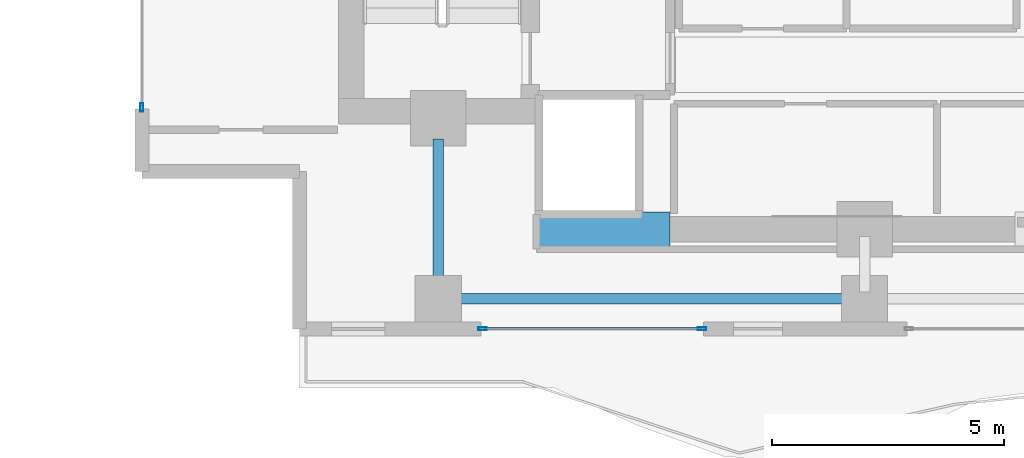
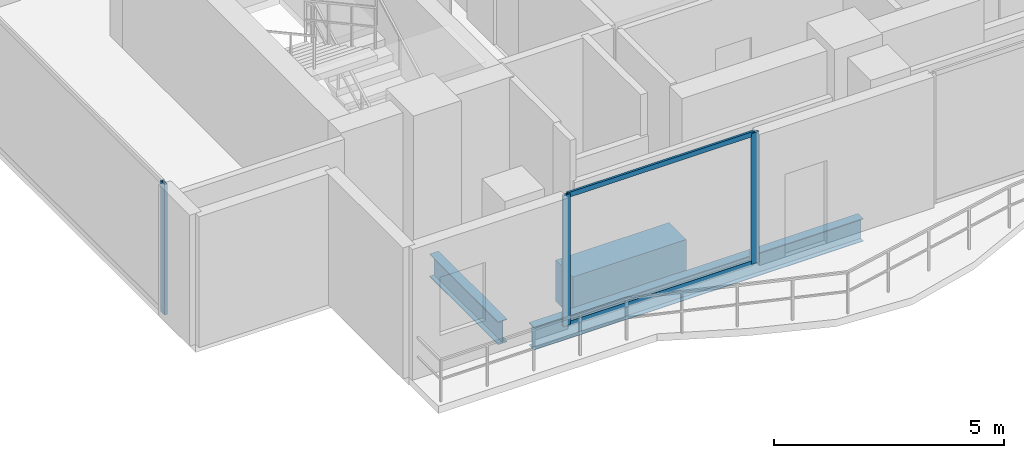
# One storey, part 2 of 25: 5 members, 3 beams, 2 elements without a shape of their own.
"""IFC4 building model written with IfcOpenShell, lengths in metres."""

from ifc_helpers import new_model, si_unit, direction, frame, origin, origin_2d, place, context, subcontext, project, spatial, rectangle, hollow_rectangle, i_section, extrude, material, layer, layer_set, material_profile, profile_set, type_object, element, aggregate, save


model = new_model("IFC4")

# Units and contexts
model_context = context("Model", 3, precision=1e-05, world=origin(), true_north=direction((0.0, 1.0)))
body_context = subcontext(model_context, "Body", "Model", "MODEL_VIEW")
ifc_project = project(units=[si_unit("LENGTHUNIT", "METRE"), si_unit("AREAUNIT", "SQUARE_METRE"), si_unit("VOLUMEUNIT", "CUBIC_METRE"), si_unit("PLANEANGLEUNIT", "RADIAN"), si_unit("MASSUNIT", "GRAM", prefix="KILO")], contexts=[model_context])

# Site, building, storey
site_placement = place(None, origin())
site = spatial("IfcSite", under=ifc_project, at=site_placement, CompositionType="ELEMENT")
building_placement = place(site_placement, origin())
building = spatial("IfcBuilding", under=site, at=building_placement, Name="Zuhayl Quay Hotel", CompositionType="ELEMENT")
storey_placement = place(building_placement, frame((0.0, 0.0, 250.75)))
storey = spatial("IfcBuildingStorey", under=building, at=storey_placement, Name="L63", CompositionType="ELEMENT", Elevation=250.75)

# Beams
ifc_material_1 = material(Name="Steel ASTM A992 Grade 50", Category="steel")
ifc_material_profile_1 = material_profile(ifc_material_1, i_section(OverallWidth=0.22802734375, OverallDepth=0.60693359375, WebThickness=0.01123046875, FlangeThickness=0.017333984375, at=origin_2d()), Name="W24X76")
ifc_profile_set_1 = profile_set([ifc_material_profile_1], Name="Steel ASTM A992 Grade 50")
beam_type_1 = type_object("IfcBeamType", Name="BM_B3_W24X76", PredefinedType="BEAM", material=ifc_profile_set_1)
beam_1_placement = place(storey_placement, frame((-13.340087890625, 0.64990234375, -0.5234375), z_axis=(1.0, 0.0, 0.0), x_axis=(0.0, 1.0, 0.0)))
element("IfcBeam", 1, at=beam_1_placement, inside=storey, type_object=beam_type_1, Name="L63 Floor Beam RG_L63_01", PredefinedType="BEAM", context=body_context, shape_type="SweptSolid", body=[
    extrude(i_section(OverallWidth=0.22802734375, OverallDepth=0.60693359375, WebThickness=0.01123046875, FlangeThickness=0.017333984375, at=origin_2d()), origin(), (0.0, 0.0, 1.0), 8.280029296875),
])
beam_2_placement = place(storey_placement, frame((-13.800048828125, 1.110107421875, -0.5234375), z_axis=(0.0, 1.0, 0.0), x_axis=(-1.0, 0.0, 0.0)))
element("IfcBeam", 2, at=beam_2_placement, inside=storey, type_object=beam_type_1, Name="L63 Floor Beam FG_S_L63_1", PredefinedType="BEAM", context=body_context, shape_type="SweptSolid", body=[
    extrude(i_section(OverallWidth=0.22802734375, OverallDepth=0.60693359375, WebThickness=0.01123046875, FlangeThickness=0.017333984375, at=origin_2d()), origin(), (0.0, 0.0, 1.0), 2.989990234375),
])
ifc_material_2 = material(Name="Concrete C60/75", Category="concrete")
ifc_material_profile_2 = material_profile(ifc_material_2, rectangle(XDim=0.75, YDim=1.10009765625, at=origin_2d()), Name="RC750X1100")
ifc_profile_set_2 = profile_set([ifc_material_profile_2], Name="Concrete C60/75")
beam_type_2 = type_object("IfcBeamType", Name="BM_CB2_RC750", PredefinedType="T_BEAM", material=ifc_profile_set_2)
beam_3_placement = place(storey_placement, frame((-11.64990234375, 2.14990234375, -0.77001953125), z_axis=(1.0, 0.0, 0.0), x_axis=(0.0, 1.0, 0.0)))
element("IfcBeam", 3, at=beam_3_placement, inside=storey, type_object=beam_type_2, Name="L63 Core Coupling Beam SW", PredefinedType="T_BEAM", context=body_context, shape_type="SweptSolid", body=[
    extrude(rectangle(XDim=0.75, YDim=1.10009765625, at=origin_2d()), origin(), (0.0, 0.0, 1.0), 2.849853515625),
])

# Curtain wall, member
ifc_material_3 = material(Name="Anodised Aluminium 6063-T6", Category="aluminium")
ifc_layer = layer(ifc_material_3, 0.169921875, Name="Anodised Aluminium 6063-T6", Category="aluminium")
ifc_layer_set = layer_set([ifc_layer], Name="Anodised Aluminium 6063-T6")
curtain_wall_type = type_object("IfcCurtainWallType", Name="CW_SYS_Z4", PredefinedType="USERDEFINED", material=ifc_layer_set)
curtain_wall_1_placement = place(storey_placement, origin())
curtain_wall_1 = element("IfcCurtainWall", 4, at=curtain_wall_1_placement, inside=storey, type_object=curtain_wall_type, Name="L63 Curtain Wall ENV_L63_E02_CW1", ObjectType="UNITISED CURTAIN WALL", PredefinedType="USERDEFINED")
ifc_material_4 = material(Name="Black-anodised aluminium 6063-T6", Category="aluminium")
ifc_material_profile_3 = material_profile(ifc_material_4, hollow_rectangle(XDim=0.06494140625, YDim=0.179931640625, WallThickness=0.00341796875, at=origin_2d()), Name="ALU180X65")
ifc_profile_set_3 = profile_set([ifc_material_profile_3], Name="Black-anodised aluminium 6063-T6")
member_type_1 = type_object("IfcMemberType", Name="MB_CW_MUL_180", PredefinedType="MULLION", material=ifc_profile_set_3)
member_1_placement = place(storey_placement, frame((-20.199951171875, 4.782470703125, 0.0), z_axis=(0.0, 0.0, 1.0), x_axis=(-1.0, 0.0, 0.0)))
member_1 = element("IfcMember", 5, at=member_1_placement, type_object=member_type_1, Name="CW-Z4 mullion 1", PredefinedType="MULLION", context=body_context, shape_type="SweptSolid", body=[
    extrude(hollow_rectangle(XDim=0.06494140625, YDim=0.179931640625, WallThickness=0.00341796875, at=origin_2d()), origin(), (0.0, 0.0, 1.0), 3.47998046875),
])
aggregate(curtain_wall_1, [member_1])

# Curtain wall, members
curtain_wall_2_placement = place(storey_placement, origin())
curtain_wall_2 = element("IfcCurtainWall", 6, at=curtain_wall_2_placement, inside=storey, type_object=curtain_wall_type, Name="L63 Curtain Wall ENV_L63_S_CW4", ObjectType="UNITISED CURTAIN WALL", PredefinedType="USERDEFINED")
member_2_placement = place(storey_placement, frame((-8.107421875, 0.0, 0.0), z_axis=(0.0, 0.0, 1.0), x_axis=(0.0, -1.0, 0.0)))
member_2 = element("IfcMember", 7, at=member_2_placement, type_object=member_type_1, Name="CW-Z4 mullion 1", PredefinedType="MULLION", context=body_context, shape_type="SweptSolid", body=[
    extrude(hollow_rectangle(XDim=0.06494140625, YDim=0.179931640625, WallThickness=0.00341796875, at=origin_2d()), origin(), (0.0, 0.0, 1.0), 3.47998046875),
])
member_3_placement = place(storey_placement, frame((-12.847412109375, 0.0, 0.0), z_axis=(0.0, 0.0, 1.0), x_axis=(0.0, -1.0, 0.0)))
member_3 = element("IfcMember", 8, at=member_3_placement, type_object=member_type_1, Name="CW-Z4 mullion 2", PredefinedType="MULLION", context=body_context, shape_type="SweptSolid", body=[
    extrude(hollow_rectangle(XDim=0.06494140625, YDim=0.179931640625, WallThickness=0.00341796875, at=origin_2d()), origin(), (0.0, 0.0, 1.0), 3.47998046875),
])
ifc_material_profile_4 = material_profile(ifc_material_4, hollow_rectangle(XDim=0.054931640625, YDim=0.1298828125, WallThickness=0.0029296875, at=origin_2d()), Name="ALU130X55")
ifc_profile_set_4 = profile_set([ifc_material_profile_4], Name="Black-anodised aluminium 6063-T6")
member_type_2 = type_object("IfcMemberType", Name="MB_CW_TRN_130", PredefinedType="USERDEFINED", material=ifc_profile_set_4)
member_4_placement = place(storey_placement, frame((-8.139892578125, 0.0, 0.027587890625), z_axis=(-1.0, 0.0, 0.0), x_axis=(0.0, -1.0, 0.0)))
member_4 = element("IfcMember", 9, at=member_4_placement, type_object=member_type_2, Name="CW-Z4 transom 1.1", ObjectType="TRANSOM", PredefinedType="USERDEFINED", context=body_context, shape_type="SweptSolid", body=[
    extrude(hollow_rectangle(XDim=0.054931640625, YDim=0.1298828125, WallThickness=0.0029296875, at=origin_2d()), origin(), (0.0, 0.0, 1.0), 4.675048828125),
])
member_5_placement = place(storey_placement, frame((-8.139892578125, 0.0, 3.452392578125), z_axis=(-1.0, 0.0, 0.0), x_axis=(0.0, -1.0, 0.0)))
member_5 = element("IfcMember", 10, at=member_5_placement, type_object=member_type_2, Name="CW-Z4 transom 1.2", ObjectType="TRANSOM", PredefinedType="USERDEFINED", context=body_context, shape_type="SweptSolid", body=[
    extrude(hollow_rectangle(XDim=0.054931640625, YDim=0.1298828125, WallThickness=0.0029296875, at=origin_2d()), origin(), (0.0, 0.0, 1.0), 4.675048828125),
])
aggregate(curtain_wall_2, [member_2, member_3, member_4, member_5])

save(model, "model.ifc")
